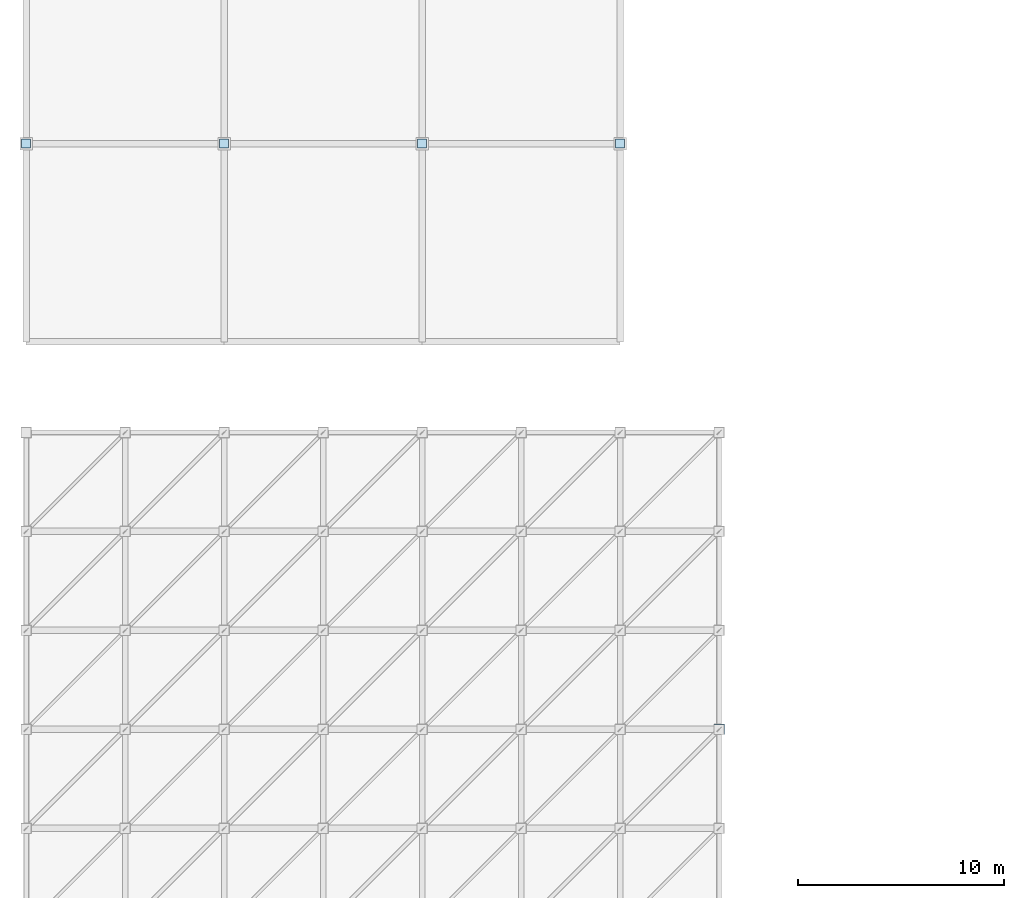
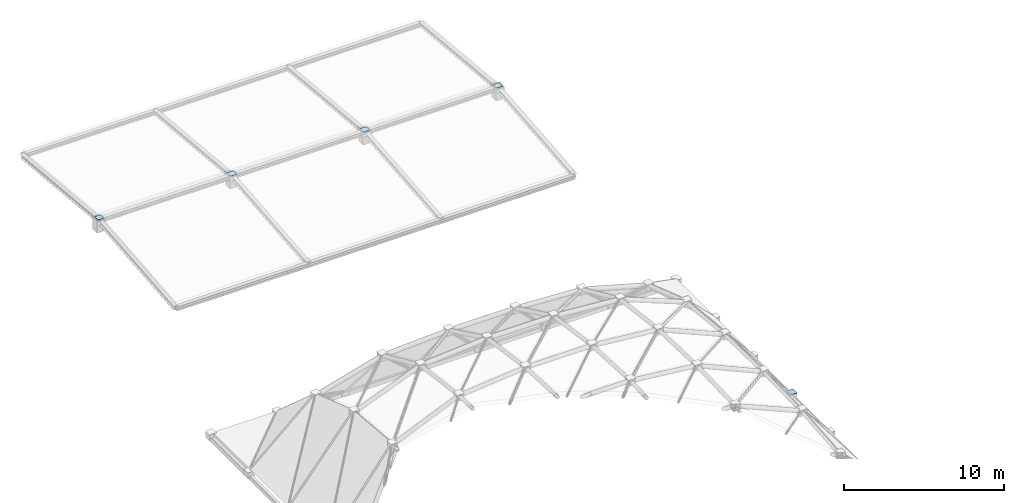
# One storey, part 55 of 70: 5 plates.
"""IFC4 building model written with IfcOpenShell, lengths in metres."""

import ifcopenshell
import ifcopenshell.guid

model = None  # the IFC model being written
_history = None  # IfcOwnerHistory: only IFC2X3 demands one
_inside = {}  # id of a spatial element -> (the spatial element, [elements in it])
_under = {}  # id of a project, library or spatial element -> (it, [spatial elements below it])
_declared = {}  # id of a project -> (the project, [libraries it declares])
_typed = {}  # id of a type object -> (the type object, [elements of that type])
_made_of = {}  # id of a material, layer set ... -> (it, [elements and type objects made of it])


def new_model(schema):
    """Start an empty IFC model of exactly this schema.

    Asked for "IFC4X3", IfcOpenShell would pick the latest addendum, in which some entities
    have other attributes; the version numbers below select the first issue.
    IFC2X3 requires an IfcOwnerHistory on every rooted entity: one is made here for all.
    """
    global model, _history
    if schema == "IFC4X3":
        model = ifcopenshell.file(schema_version=(4, 3, 0, 0))
    else:
        model = ifcopenshell.file(schema=schema)
    _inside.clear()
    _under.clear()
    _declared.clear()
    _typed.clear()
    _made_of.clear()
    _history = None
    if model.schema == "IFC2X3":
        org = make("IfcOrganization", Name="unknown")
        user = make(
            "IfcPersonAndOrganization",
            ThePerson=make("IfcPerson", FamilyName="unknown"),
            TheOrganization=org,
        )
        app = make(
            "IfcApplication",
            ApplicationDeveloper=org,
            Version="unknown",
            ApplicationFullName="unknown",
            ApplicationIdentifier="unknown",
        )
        _history = make(
            "IfcOwnerHistory",
            OwningUser=user,
            OwningApplication=app,
            ChangeAction="ADDED",
            CreationDate=0,
        )
    return model


def make(cls, **values):
    """One entity of the class cls with the attributes given. An attribute that is None is left unset."""
    return model.create_entity(
        cls, **{name: value for name, value in values.items() if value is not None}
    )


def rooted(cls, **values):
    """An entity with a GlobalId (a new one), such as an element, a storey or a relation."""
    return make(cls, GlobalId=ifcopenshell.guid.new(), OwnerHistory=_history, **values)


def si_unit(unit_type, name, prefix=None):
    """IfcSIUnit, for example si_unit("LENGTHUNIT", "METRE", prefix="MILLI")."""
    return make("IfcSIUnit", UnitType=unit_type, Prefix=prefix, Name=name)


def assignment(units):
    """IfcUnitAssignment: the units of a project."""
    return None if units is None else make("IfcUnitAssignment", Units=units)


def point(xyz):
    """IfcCartesianPoint."""
    return None if xyz is None else make("IfcCartesianPoint", Coordinates=xyz)


def direction(xyz):
    """IfcDirection."""
    return None if xyz is None else make("IfcDirection", DirectionRatios=xyz)


def frame(location, z_axis=None, x_axis=None):
    """IfcAxis2Placement3D, a coordinate frame: its origin and axes. An axis left out is left unset."""
    return make(
        "IfcAxis2Placement3D",
        Location=point(location),
        Axis=direction(z_axis),
        RefDirection=direction(x_axis),
    )


def frame_2d(location, x_axis=None):
    """IfcAxis2Placement2D, a coordinate frame in the plane: its origin and x axis."""
    return make(
        "IfcAxis2Placement2D", Location=point(location), RefDirection=direction(x_axis)
    )


def origin():
    """The frame at (0, 0, 0) with its axes left unset."""
    return frame((0.0, 0.0, 0.0))


def origin_2d():
    """The frame at (0, 0) in the plane with its x axis left unset."""
    return frame_2d((0.0, 0.0))


def place(relative_to, where):
    """IfcLocalPlacement: puts the frame where relative to a parent placement (None: the world)."""
    return make(
        "IfcLocalPlacement", PlacementRelTo=relative_to, RelativePlacement=where
    )


def context(
    kind, dimensions, precision=None, world=None, true_north=None, identifier=None
):
    """IfcGeometricRepresentationContext, for example the 3D "Model" context."""
    return make(
        "IfcGeometricRepresentationContext",
        ContextIdentifier=identifier,
        ContextType=kind,
        CoordinateSpaceDimension=dimensions,
        Precision=precision,
        WorldCoordinateSystem=world,
        TrueNorth=true_north,
    )


def subcontext(parent, identifier, kind, view, scale=None):
    """IfcGeometricRepresentationSubContext, for example "Body" below "Model"."""
    return make(
        "IfcGeometricRepresentationSubContext",
        ContextIdentifier=identifier,
        ContextType=kind,
        ParentContext=parent,
        TargetScale=scale,
        TargetView=view,
    )


def project(units=None, contexts=None):
    """IfcProject with its units and contexts."""
    return rooted(
        "IfcProject",
        Name="project",
        RepresentationContexts=contexts,
        UnitsInContext=assignment(units),
    )


def spatial(cls, under=None, at=None, **own):
    """A site, building, storey or space (cls), placed at a placement, below another one or the project."""
    s = rooted(cls, ObjectPlacement=at, **own)
    if under is not None:
        _under.setdefault(under.id(), (under, []))[1].append(s)
    return s


def profile(cls, at=None, kind="AREA", **sizes):
    """A parametric profile (cls). Its sizes go by their IFC names, for example OverallWidth=200.0."""
    return make(cls, ProfileType=kind, Position=at, **sizes)


def rectangle(**sizes):
    """IfcRectangleProfileDef."""
    return profile("IfcRectangleProfileDef", **sizes)


def extrude(swept, where, along, depth):
    """IfcExtrudedAreaSolid: the profile swept, set in the frame where, extruded along a direction by depth."""
    return make(
        "IfcExtrudedAreaSolid",
        SweptArea=swept,
        Position=where,
        ExtrudedDirection=direction(along),
        Depth=depth,
    )


def shape(context_of_items, identifier, shape_type, items):
    """IfcShapeRepresentation: the items that make up one representation, for example the "Body"."""
    return make(
        "IfcShapeRepresentation",
        ContextOfItems=context_of_items,
        RepresentationIdentifier=identifier,
        RepresentationType=shape_type,
        Items=items,
    )


def material(Name=None, Category=None):
    """IfcMaterial."""
    return make("IfcMaterial", Name=Name, Category=Category)


def layer(
    of_material, thickness, ventilated=None, Name=None, Category=None, Priority=None
):
    """IfcMaterialLayer: one layer of a wall or slab, of a material (None: an air gap)."""
    return make(
        "IfcMaterialLayer",
        Material=of_material,
        LayerThickness=thickness,
        IsVentilated=ventilated,
        Name=Name,
        Category=Category,
        Priority=Priority,
    )


def layer_set(layers, Name=None):
    """IfcMaterialLayerSet."""
    return make("IfcMaterialLayerSet", MaterialLayers=layers, LayerSetName=Name)


def made_of(thing, what):
    """Note that an element or type object is made of a material, layer set ...; save() writes the relation."""
    if what is not None:
        _made_of.setdefault(what.id(), (what, []))[1].append(thing)
    return thing


def type_object(cls, material=None, **own):
    """A type object (cls), such as IfcWallType, which elements share."""
    return made_of(rooted(cls, **own), material)


def element(
    cls,
    number,
    at=None,
    inside=None,
    cuts=None,
    type_object=None,
    material=None,
    context=None,
    identifier="Body",
    shape_type=None,
    held_by="IfcProductDefinitionShape",
    body=None,
    shapes=None,
    **own,
):
    """One element of the class cls, such as IfcWall. Its Tag is "e" and its number.

    at: its placement. inside: the storey or other place that contains it. cuts: it is an
    opening in that element (IfcRelVoidsElement). A single representation is given by context,
    identifier, shape_type and body (its items); several are given by shapes. held_by: the class
    of the entity that holds the representations. save() writes the other relations.
    """
    e = rooted(cls, Tag="e%d" % number, ObjectPlacement=at, **own)
    if body is not None:
        shapes = [shape(context, identifier, shape_type, body)]
    if shapes is not None:
        e.Representation = make(held_by, Representations=shapes)
    if inside is not None:
        _inside.setdefault(inside.id(), (inside, []))[1].append(e)
    if cuts is not None:
        rooted(
            "IfcRelVoidsElement", RelatingBuildingElement=cuts, RelatedOpeningElement=e
        )
    if type_object is not None:
        _typed.setdefault(type_object.id(), (type_object, []))[1].append(e)
    return made_of(e, material)


def aggregate(whole, parts):
    """IfcRelAggregates: a whole, such as a stair, and the parts it consists of."""
    return rooted("IfcRelAggregates", RelatingObject=whole, RelatedObjects=parts)


def save(model, path):
    """Write the relations noted so far, then the file.

    IfcRelAggregates (storeys below a building ...), IfcRelContainedInSpatialStructure (elements
    in a storey), IfcRelDefinesByType, IfcRelAssociatesMaterial and IfcRelDeclares: one each for
    every whole, place, type object, material and project.
    """
    for whole, parts in _under.values():
        aggregate(whole, parts)
    for where, things in _inside.values():
        rooted(
            "IfcRelContainedInSpatialStructure",
            RelatedElements=things,
            RelatingStructure=where,
        )
    for kind, things in _typed.values():
        rooted("IfcRelDefinesByType", RelatedObjects=things, RelatingType=kind)
    for what, things in _made_of.values():
        rooted("IfcRelAssociatesMaterial", RelatedObjects=things, RelatingMaterial=what)
    for by, libraries in _declared.values():
        rooted("IfcRelDeclares", RelatingContext=by, RelatedDefinitions=libraries)
    model.write(path)


model = new_model("IFC4")

# Units and contexts
model_context = context("Model", 3, precision=1e-05, world=origin(), true_north=direction((0.0, 1.0)))
body_context = subcontext(model_context, "Body", "Model", "MODEL_VIEW")
ifc_project = project(units=[si_unit("LENGTHUNIT", "METRE"), si_unit("AREAUNIT", "SQUARE_METRE"), si_unit("VOLUMEUNIT", "CUBIC_METRE"), si_unit("PLANEANGLEUNIT", "RADIAN"), si_unit("MASSUNIT", "GRAM", prefix="KILO")], contexts=[model_context])

# Site, building, storey
site_placement = place(None, origin())
site = spatial("IfcSite", under=ifc_project, at=site_placement, CompositionType="ELEMENT")
building_placement = place(site_placement, origin())
building = spatial("IfcBuilding", under=site, at=building_placement, Name="Mavantir Sound Aquarium", CompositionType="ELEMENT")
storey_placement = place(building_placement, frame((0.0, 0.0, 27.0)))
storey = spatial("IfcBuildingStorey", under=building, at=storey_placement, Name="RF", CompositionType="ELEMENT", Elevation=27.0)

# Plates
ifc_material = material(Name="Structural Steel ASTM A572 Gr50", Category="steel")
ifc_layer_1 = layer(ifc_material, 0.02001953125, Name="Structural Steel ASTM A572 Gr50")
ifc_layer_set_1 = layer_set([ifc_layer_1], Name="Structural Steel ASTM A572 Gr50")
plate_type_1 = type_object("IfcPlateType", Name="PLT-ENDCAP-20", PredefinedType="SHEET", material=ifc_layer_set_1)
for number, where, z_axis, x_axis, name in (
    (1, (0.0, 93.199951171875, 0.89990234375), (0.0, 0.0, 1.0), (1.0, 0.0, 0.0), "Pavilion roof post cap 22"),
    (2, (9.60009765625, 93.199951171875, 0.89990234375), (0.0, 0.0, 1.0), (1.0, 0.0, 0.0), "Pavilion roof post cap 23"),
    (3, (19.199951171875, 93.199951171875, 0.89990234375), (0.0, 0.0, 1.0), (1.0, 0.0, 0.0), "Pavilion roof post cap 24"),
    (4, (28.800048828125, 93.199951171875, 0.89990234375), (0.0, 0.0, 1.0), (1.0, 0.0, 0.0), "Pavilion roof post cap 25"),
):
    element("IfcPlate", number, at=place(storey_placement, frame(where, z_axis=z_axis, x_axis=x_axis)), inside=storey, type_object=plate_type_1, Name=name, PredefinedType="SHEET", context=body_context, shape_type="SweptSolid", body=[
        extrude(rectangle(XDim=0.43994140625, YDim=0.43994140625, at=origin_2d()), origin(), (0.0, 0.0, 1.0), 0.02001953125),
    ])
ifc_layer_2 = layer(ifc_material, 0.02490234375, Name="Structural Steel ASTM A572 Gr50")
ifc_layer_set_2 = layer_set([ifc_layer_2], Name="Structural Steel ASTM A572 Gr50")
plate_type_2 = type_object("IfcPlateType", Name="PLT-NODE-25", PredefinedType="SHEET", material=ifc_layer_set_2)
plate_placement = place(storey_placement, frame((33.60009765625, 64.800048828125, -6.972412109375), z_axis=(0.0, 0.0, 1.0), x_axis=(1.0, 0.0, 0.0)))
element("IfcPlate", 5, at=plate_placement, inside=storey, type_object=plate_type_2, Name="Gridshell steel node cap plate NP-69", PredefinedType="SHEET", context=body_context, shape_type="SweptSolid", body=[
    extrude(rectangle(XDim=0.52001953125, YDim=0.52001953125, at=origin_2d()), origin(), (0.0, 0.0, 1.0), 0.02490234375),
])

save(model, "model.ifc")
